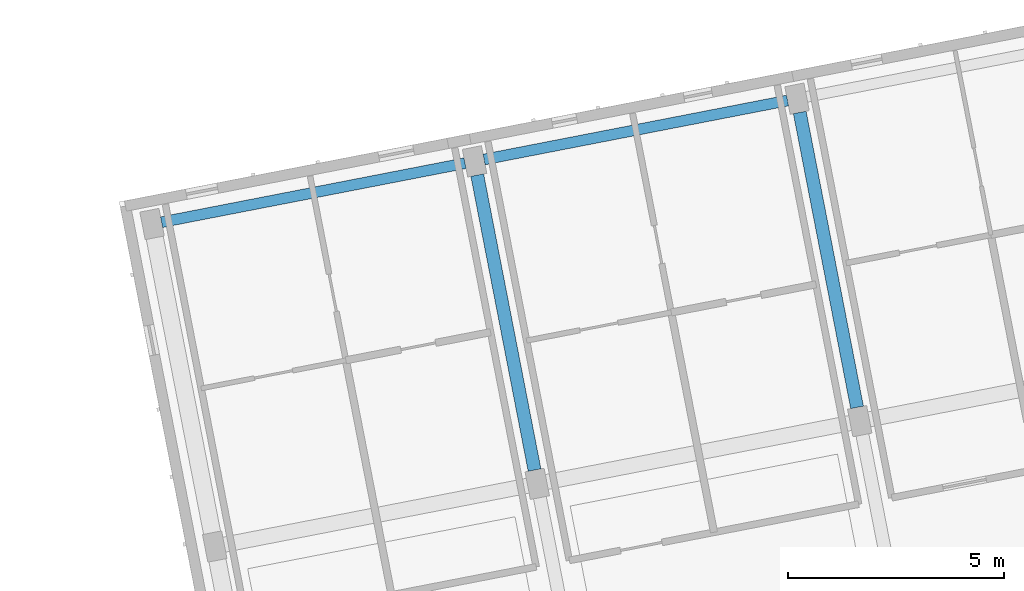
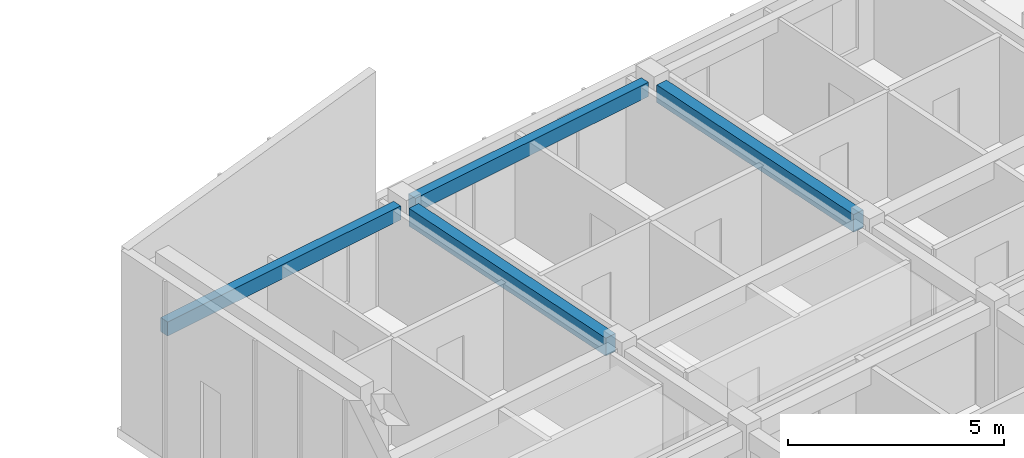
# One storey, part 5 of 65: 4 beams.
"""IFC4 building model written with IfcOpenShell, lengths in metres."""

from ifc_helpers import new_model, si_unit, direction, frame, origin, origin_2d, place, context, subcontext, project, spatial, rectangle, extrude, material, material_profile, profile_set, type_object, element, save


model = new_model("IFC4")

# Units and contexts
model_context = context("Model", 3, precision=1e-05, world=origin(), true_north=direction((0.0, 1.0)))
body_context = subcontext(model_context, "Body", "Model", "MODEL_VIEW")
ifc_project = project(units=[si_unit("LENGTHUNIT", "METRE"), si_unit("AREAUNIT", "SQUARE_METRE"), si_unit("VOLUMEUNIT", "CUBIC_METRE"), si_unit("PLANEANGLEUNIT", "RADIAN"), si_unit("MASSUNIT", "GRAM", prefix="KILO")], contexts=[model_context])

# Site, building, storey
site_placement = place(None, origin())
site = spatial("IfcSite", under=ifc_project, at=site_placement, CompositionType="ELEMENT")
building_placement = place(site_placement, origin())
building = spatial("IfcBuilding", under=site, at=building_placement, Name="Kestramere Prow Commons", CompositionType="ELEMENT")
storey_placement = place(building_placement, frame((0.0, 0.0, 21.39990234375)))
storey = spatial("IfcBuildingStorey", under=building, at=storey_placement, Name="L06", CompositionType="ELEMENT", Elevation=21.39990234375)

# Beams
ifc_material = material(Name="Precast concrete C40/50", Category="concrete")
ifc_material_profile_1 = material_profile(ifc_material, rectangle(XDim=0.300048828125, YDim=0.5, at=origin_2d()), Name="PC-BM 300x500")
ifc_profile_set_1 = profile_set([ifc_material_profile_1], Name="Precast concrete C40/50")
beam_type_1 = type_object("IfcBeamType", Name="BM-TIE-01 PC-BM 300x500", PredefinedType="BEAM", material=ifc_profile_set_1)
beam_1_placement = place(storey_placement, frame((123.508544921875, 47.548583984375, 2.75), z_axis=(-0.190776577325, 0.981633484323, 0.0), x_axis=(-0.981633484323, -0.190776577325, 0.0)))
element("IfcBeam", 1, at=beam_1_placement, inside=storey, type_object=beam_type_1, Name="Block D L06 Transverse Beam 2-3", PredefinedType="BEAM", context=body_context, shape_type="SweptSolid", body=[
    extrude(rectangle(XDim=0.300048828125, YDim=0.5, at=origin_2d()), origin(), (0.0, 0.0, 1.0), 6.9501953125),
])
beam_2_placement = place(storey_placement, frame((130.968994140625, 48.998779296875, 2.75), z_axis=(-0.190817005532, 0.981625626397, 0.0), x_axis=(-0.981625626397, -0.190817005532, 0.0)))
element("IfcBeam", 2, at=beam_2_placement, inside=storey, type_object=beam_type_1, Name="Block D L06 Transverse Beam 3-3", PredefinedType="BEAM", context=body_context, shape_type="SweptSolid", body=[
    extrude(rectangle(XDim=0.300048828125, YDim=0.5, at=origin_2d()), origin(), (0.0, 0.0, 1.0), 6.949951171875),
])
ifc_material_profile_2 = material_profile(ifc_material, rectangle(XDim=0.25, YDim=0.39990234375, at=origin_2d()), Name="PC-SP 250x400")
ifc_profile_set_2 = profile_set([ifc_material_profile_2], Name="Precast concrete C40/50")
beam_type_2 = type_object("IfcBeamType", Name="SP-EXT-01 PC-SP 250x400", PredefinedType="SPANDREL", material=ifc_profile_set_2)
beam_3_placement = place(storey_placement, frame((114.881103515625, 53.28271484375, 2.800048828125), z_axis=(0.981621075955, 0.19084041302, 0.0), x_axis=(-0.19084041302, 0.981621075955, 0.0)))
element("IfcBeam", 3, at=beam_3_placement, inside=storey, type_object=beam_type_2, Name="Block D L06 Longitudinal Beam 4-1", PredefinedType="SPANDREL", context=body_context, shape_type="SweptSolid", body=[
    extrude(rectangle(XDim=0.25, YDim=0.39990234375, at=origin_2d()), origin(), (0.0, 0.0, 1.0), 7.14990234375),
])
beam_4_placement = place(storey_placement, frame((122.34130859375, 54.73291015625, 2.800048828125), z_axis=(0.981628715169, 0.190801115182, 0.0), x_axis=(-0.190801115182, 0.981628715169, 0.0)))
element("IfcBeam", 4, at=beam_4_placement, inside=storey, type_object=beam_type_2, Name="Block D L06 Longitudinal Beam 4-2", PredefinedType="SPANDREL", context=body_context, shape_type="SweptSolid", body=[
    extrude(rectangle(XDim=0.25, YDim=0.39990234375, at=origin_2d()), origin(), (0.0, 0.0, 1.0), 7.150146484375),
])

save(model, "model.ifc")
